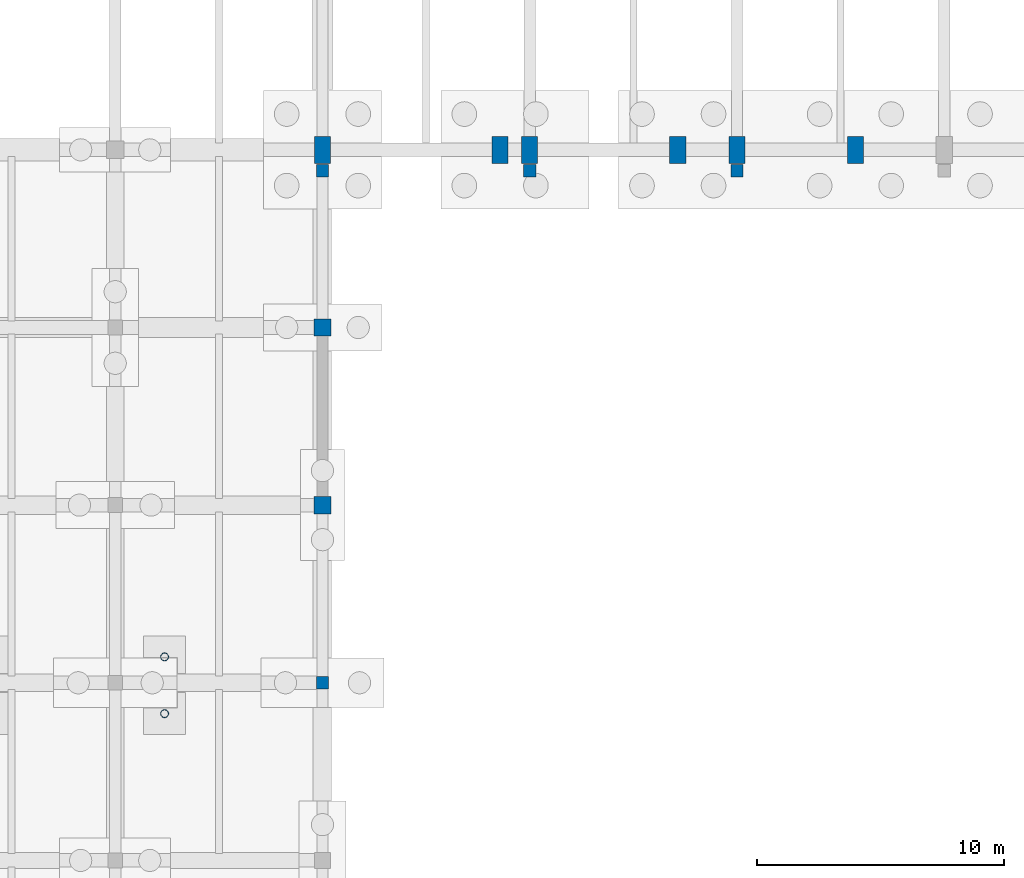
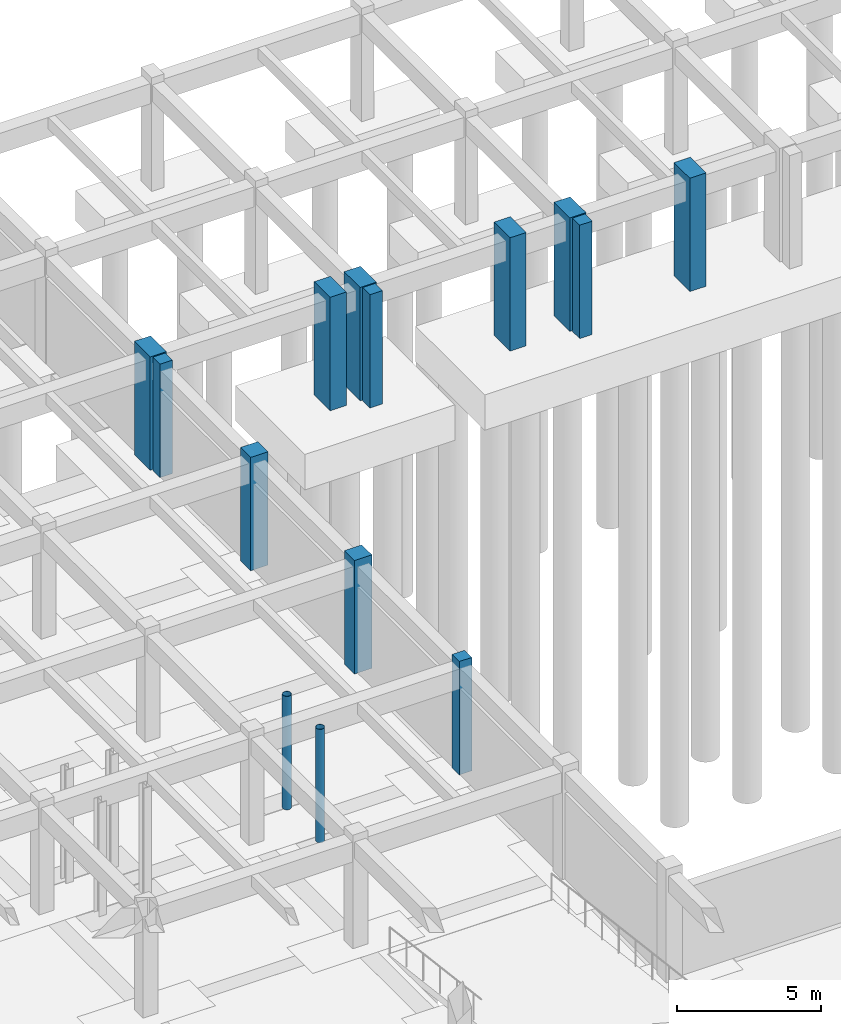
# One storey, part 45 of 80: 14 columns.
"""IFC4 building model written with IfcOpenShell, lengths in metres."""

from ifc_helpers import new_model, si_unit, direction, frame, origin, origin_2d, place, context, subcontext, project, spatial, rectangle, hollow_circle, extrude, material, material_profile, profile_set, type_object, element, save


model = new_model("IFC4")

# Units and contexts
model_context = context("Model", 3, precision=1e-05, world=origin(), true_north=direction((0.0, 1.0)))
body_context = subcontext(model_context, "Body", "Model", "MODEL_VIEW")
ifc_project = project(units=[si_unit("LENGTHUNIT", "METRE"), si_unit("AREAUNIT", "SQUARE_METRE"), si_unit("VOLUMEUNIT", "CUBIC_METRE"), si_unit("PLANEANGLEUNIT", "RADIAN"), si_unit("MASSUNIT", "GRAM", prefix="KILO")], contexts=[model_context])

# Site, building, storey
site_placement = place(None, origin())
site = spatial("IfcSite", under=ifc_project, at=site_placement, CompositionType="ELEMENT")
building_placement = place(site_placement, origin())
building = spatial("IfcBuilding", under=site, at=building_placement, Name="Malvenik Polytechnic", CompositionType="ELEMENT")
storey_placement = place(building_placement, frame((0.0, 0.0, -4.800048828125)))
storey = spatial("IfcBuildingStorey", under=building, at=storey_placement, Name="B1", CompositionType="ELEMENT", Elevation=-4.800048828125)

# Columns
ifc_material_1 = material(Name="Concrete C40/50", Category="concrete")
ifc_material_profile_1 = material_profile(ifc_material_1, rectangle(XDim=0.699951171875, YDim=0.699951171875, at=origin_2d()), Name="RC COL 700x700")
ifc_profile_set_1 = profile_set([ifc_material_profile_1], Name="Concrete C40/50")
column_type_1 = type_object("IfcColumnType", Name="STR-COL-C-04", PredefinedType="COLUMN", material=ifc_profile_set_1)
for number, where, z_axis, x_axis, name in (
    (1, (134.39990234375, 79.199951171875, 0.0), (0.0, 0.0, 1.0), (1.0, 0.0, 0.0), "Column C-04 B1 (134.4,79.2)"),
    (2, (134.39990234375, 86.39990234375, 0.0), (0.0, 0.0, 1.0), (1.0, 0.0, 0.0), "Column C-04 B1 (134.4,86.4)"),
):
    element("IfcColumn", number, at=place(storey_placement, frame(where, z_axis=z_axis, x_axis=x_axis)), inside=storey, type_object=column_type_1, Name=name, PredefinedType="COLUMN", context=body_context, shape_type="SweptSolid", body=[
        extrude(rectangle(XDim=0.699951171875, YDim=0.699951171875, at=origin_2d()), origin(), (0.0, 0.0, 1.0), 4.800048828125),
    ])
ifc_material_2 = material(Name="Concrete C35/45", Category="concrete")
ifc_material_profile_2 = material_profile(ifc_material_2, rectangle(XDim=0.5, YDim=0.5, at=origin_2d()), Name="RC COL 500x500")
ifc_profile_set_2 = profile_set([ifc_material_profile_2], Name="Concrete C35/45")
column_type_2 = type_object("IfcColumnType", Name="STR-COL-C-08", PredefinedType="COLUMN", material=ifc_profile_set_2)
for number, where, z_axis, x_axis, name in (
    (3, (134.39990234375, 72.0, 0.0), (0.0, 0.0, 1.0), (1.0, 0.0, 0.0), "Column C-08 B1 (134.4,72.0)"),
    (4, (134.39990234375, 92.75, 0.0), (0.0, 0.0, 1.0), (1.0, 0.0, 0.0), "Crane Pier Column B1 #2.1"),
    (5, (142.800048828125, 92.75, 0.0), (0.0, 0.0, 1.0), (1.0, 0.0, 0.0), "Crane Pier Column B1 #2.2"),
    (6, (151.199951171875, 92.75, 0.0), (0.0, 0.0, 1.0), (1.0, 0.0, 0.0), "Crane Pier Column B1 #2.3"),
):
    element("IfcColumn", number, at=place(storey_placement, frame(where, z_axis=z_axis, x_axis=x_axis)), inside=storey, type_object=column_type_2, Name=name, PredefinedType="COLUMN", context=body_context, shape_type="SweptSolid", body=[
        extrude(rectangle(XDim=0.5, YDim=0.5, at=origin_2d()), origin(), (0.0, 0.0, 1.0), 4.800048828125),
    ])
ifc_material_profile_3 = material_profile(ifc_material_2, rectangle(XDim=0.64990234375, YDim=1.10009765625, at=origin_2d()), Name="RC COL 1100x650")
ifc_profile_set_3 = profile_set([ifc_material_profile_3], Name="Concrete C35/45")
column_type_3 = type_object("IfcColumnType", Name="STR-COL-C-12", PredefinedType="COLUMN", material=ifc_profile_set_3)
for number, where, z_axis, x_axis, name in (
    (7, (134.39990234375, 93.60009765625, 0.0), (0.0, 0.0, 1.0), (1.0, 0.0, 0.0), "Column C-12 B1 (134.4,93.6)"),
    (8, (141.60009765625, 93.60009765625, 0.0), (0.0, 0.0, 1.0), (1.0, 0.0, 0.0), "Column C-12 B1 (141.6,93.6)"),
    (9, (142.800048828125, 93.60009765625, 0.0), (0.0, 0.0, 1.0), (1.0, 0.0, 0.0), "Column C-12 B1 (142.8,93.6)"),
    (10, (148.800048828125, 93.60009765625, 0.0), (0.0, 0.0, 1.0), (1.0, 0.0, 0.0), "Column C-12 B1 (148.8,93.6)"),
    (11, (151.199951171875, 93.60009765625, 0.0), (0.0, 0.0, 1.0), (1.0, 0.0, 0.0), "Column C-12 B1 (151.2,93.6)"),
    (12, (156.0, 93.60009765625, 0.0), (0.0, 0.0, 1.0), (1.0, 0.0, 0.0), "Column C-12 B1 (156.0,93.6)"),
):
    element("IfcColumn", number, at=place(storey_placement, frame(where, z_axis=z_axis, x_axis=x_axis)), inside=storey, type_object=column_type_3, Name=name, PredefinedType="COLUMN", context=body_context, shape_type="SweptSolid", body=[
        extrude(rectangle(XDim=0.64990234375, YDim=1.10009765625, at=origin_2d()), origin(), (0.0, 0.0, 1.0), 4.800048828125),
    ])
ifc_material_3 = material(Name="Steel S355J2H", Category="steel")
ifc_material_profile_4 = material_profile(ifc_material_3, hollow_circle(Radius=0.161865234375, WallThickness=0.012451171875, at=origin_2d()), Name="CHS 323.9x12.5")
ifc_profile_set_4 = profile_set([ifc_material_profile_4], Name="Steel S355J2H")
column_type_4 = type_object("IfcColumnType", Name="STR-SCOL-SC-04", PredefinedType="COLUMN", material=ifc_profile_set_4)
for number, where, z_axis, x_axis, name in (
    (13, (128.0, 70.75, 0.0), (0.0, 0.0, 1.0), (1.0, 0.0, 0.0), "Bridge-Ramp Support Column SC-04 B1"),
    (14, (128.0, 73.050048828125, 0.0), (0.0, 0.0, 1.0), (1.0, 0.0, 0.0), "Bridge-Ramp Support Column SC-04 B1"),
):
    element("IfcColumn", number, at=place(storey_placement, frame(where, z_axis=z_axis, x_axis=x_axis)), inside=storey, type_object=column_type_4, Name=name, PredefinedType="COLUMN", context=body_context, shape_type="SweptSolid", body=[
        extrude(hollow_circle(Radius=0.161865234375, WallThickness=0.012451171875, at=origin_2d()), origin(), (0.0, 0.0, 1.0), 4.800048828125),
    ])

save(model, "model.ifc")
